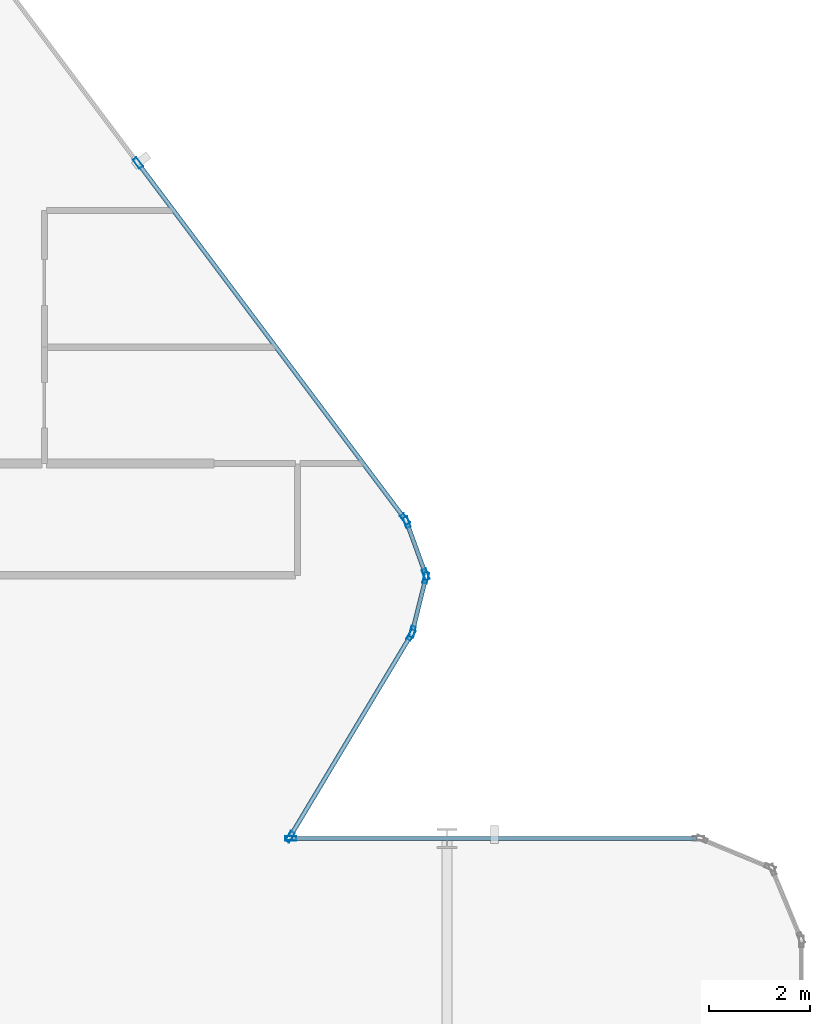
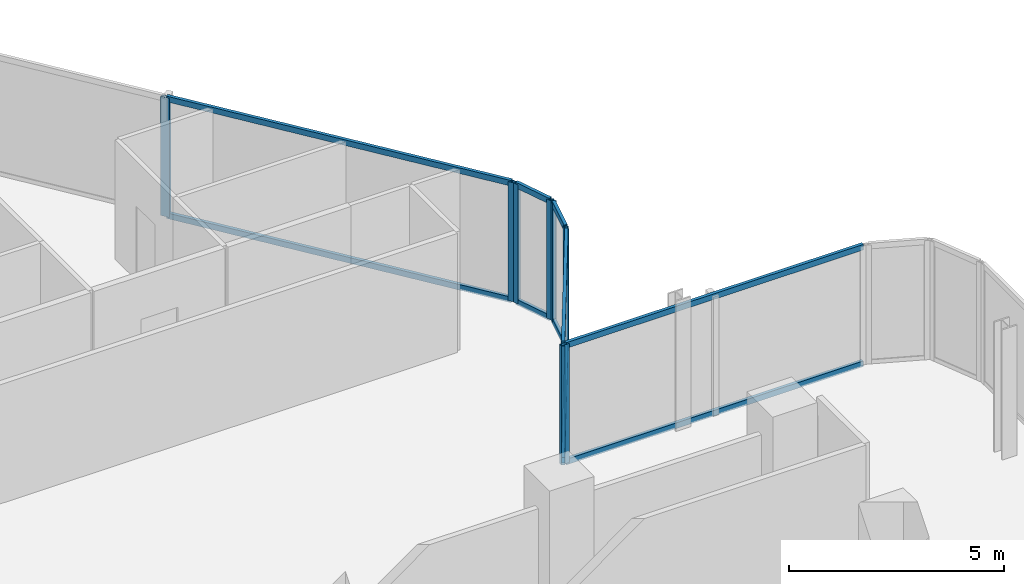
# One storey, part 15 of 34: 19 members, 5 elements without a shape of their own.
"""IFC4 building model written with IfcOpenShell, lengths in metres."""

from ifc_helpers import new_model, si_unit, direction, frame, origin, origin_2d, place, context, subcontext, project, spatial, hollow_rectangle, extrude, material, layer, layer_set, material_profile, profile_set, type_object, element, aggregate, save


model = new_model("IFC4")

# Units and contexts
model_context = context("Model", 3, precision=1e-05, world=origin(), true_north=direction((0.0, 1.0)))
body_context = subcontext(model_context, "Body", "Model", "MODEL_VIEW")
ifc_project = project(units=[si_unit("LENGTHUNIT", "METRE"), si_unit("AREAUNIT", "SQUARE_METRE"), si_unit("VOLUMEUNIT", "CUBIC_METRE"), si_unit("PLANEANGLEUNIT", "RADIAN"), si_unit("MASSUNIT", "GRAM", prefix="KILO")], contexts=[model_context])

# Site, building, storey
site_placement = place(None, origin())
site = spatial("IfcSite", under=ifc_project, at=site_placement, CompositionType="ELEMENT")
building_placement = place(site_placement, origin())
building = spatial("IfcBuilding", under=site, at=building_placement, Name="Keshet Zoharim Tower", CompositionType="ELEMENT")
storey_placement = place(building_placement, frame((0.0, 0.0, 70.10009765625)))
storey = spatial("IfcBuildingStorey", under=building, at=storey_placement, Name="L16", CompositionType="ELEMENT", Elevation=70.10009765625)

# Curtain wall, members
ifc_material = material(Name="Aluminium 6063-T6", Category="aluminium")
ifc_layer_1 = layer(ifc_material, 0.169921875)
ifc_layer_set_1 = layer_set([ifc_layer_1], Name="Aluminium 6063-T6")
curtain_wall_type_1 = type_object("IfcCurtainWallType", Name="CW-SYS-02", PredefinedType="NOTDEFINED", material=ifc_layer_set_1)
curtain_wall_1_placement = place(storey_placement, origin())
curtain_wall_1 = element("IfcCurtainWall", 1, at=curtain_wall_1_placement, inside=storey, type_object=curtain_wall_type_1, Name="L16 Unitised Curtain Wall 09", PredefinedType="NOTDEFINED")
ifc_material_profile_1 = material_profile(ifc_material, hollow_rectangle(XDim=0.090087890625, YDim=0.219970703125, WallThickness=0.0048828125, at=origin_2d()), Name="MUL-90x220")
ifc_profile_set_1 = profile_set([ifc_material_profile_1], Name="Aluminium 6063-T6")
member_type_1 = type_object("IfcMemberType", Name="CWM-M22", PredefinedType="MULLION", material=ifc_profile_set_1)
member_1_placement = place(storey_placement, frame((56.896484375, 46.0380859375, 0.0), z_axis=(0.0, 0.0, 1.0), x_axis=(0.799999999998, 0.600000000002, 0.0)))
member_1 = element("IfcMember", 2, at=member_1_placement, type_object=member_type_1, Name="CW-02 mullion 2", PredefinedType="MULLION", context=body_context, shape_type="SweptSolid", body=[
    extrude(hollow_rectangle(XDim=0.090087890625, YDim=0.219970703125, WallThickness=0.0048828125, at=origin_2d()), origin(), (0.0, 0.0, 1.0), 3.385009765625),
])
member_2_placement = place(storey_placement, frame((62.172119140625, 39.00390625, 0.0), z_axis=(0.0, 0.0, 1.0), x_axis=(0.799999999998, 0.600000000002, 0.0)))
member_2 = element("IfcMember", 3, at=member_2_placement, type_object=member_type_1, Name="CW-02 mullion 3", PredefinedType="MULLION", context=body_context, shape_type="SweptSolid", body=[
    extrude(hollow_rectangle(XDim=0.090087890625, YDim=0.219970703125, WallThickness=0.0048828125, at=origin_2d()), origin(), (0.0, 0.0, 1.0), 3.385009765625),
])

curtain_wall_2_placement = place(storey_placement, origin())
curtain_wall_2 = element("IfcCurtainWall", 4, at=curtain_wall_2_placement, inside=storey, type_object=curtain_wall_type_1, Name="L16 Unitised Curtain Wall 10", PredefinedType="NOTDEFINED")
member_3_placement = place(storey_placement, frame((62.204833984375, 38.943115234375, 0.0), z_axis=(0.0, 0.0, 1.0), x_axis=(0.940317877544, 0.340297354046, 0.0)))
member_3 = element("IfcMember", 5, at=member_3_placement, type_object=member_type_1, Name="CW-02 mullion 1", PredefinedType="MULLION", context=body_context, shape_type="SweptSolid", body=[
    extrude(hollow_rectangle(XDim=0.090087890625, YDim=0.219970703125, WallThickness=0.0048828125, at=origin_2d()), origin(), (0.0, 0.0, 1.0), 3.385009765625),
])
member_4_placement = place(storey_placement, frame((62.578125, 37.911865234375, 0.0), z_axis=(0.0, 0.0, 1.0), x_axis=(0.940317877544, 0.340297354046, 0.0)))
member_4 = element("IfcMember", 6, at=member_4_placement, type_object=member_type_1, Name="CW-02 mullion 2", PredefinedType="MULLION", context=body_context, shape_type="SweptSolid", body=[
    extrude(hollow_rectangle(XDim=0.090087890625, YDim=0.219970703125, WallThickness=0.0048828125, at=origin_2d()), origin(), (0.0, 0.0, 1.0), 3.385009765625),
])

curtain_wall_3_placement = place(storey_placement, origin())
curtain_wall_3 = element("IfcCurtainWall", 7, at=curtain_wall_3_placement, inside=storey, type_object=curtain_wall_type_1, Name="L16 Unitised Curtain Wall 11", PredefinedType="NOTDEFINED")
member_5_placement = place(storey_placement, frame((62.58154296875, 37.844970703125, 0.0), z_axis=(0.0, 0.0, 1.0), x_axis=(0.970343857447, -0.241728770141, 0.0)))
member_5 = element("IfcMember", 8, at=member_5_placement, type_object=member_type_1, Name="CW-02 mullion 1", PredefinedType="MULLION", context=body_context, shape_type="SweptSolid", body=[
    extrude(hollow_rectangle(XDim=0.090087890625, YDim=0.219970703125, WallThickness=0.0048828125, at=origin_2d()), origin(), (0.0, 0.0, 1.0), 3.385009765625),
])
member_6_placement = place(storey_placement, frame((62.31640625, 36.781005859375, 0.0), z_axis=(0.0, 0.0, 1.0), x_axis=(0.970343857447, -0.241728770141, 0.0)))
member_6 = element("IfcMember", 9, at=member_6_placement, type_object=member_type_1, Name="CW-02 mullion 2", PredefinedType="MULLION", context=body_context, shape_type="SweptSolid", body=[
    extrude(hollow_rectangle(XDim=0.090087890625, YDim=0.219970703125, WallThickness=0.0048828125, at=origin_2d()), origin(), (0.0, 0.0, 1.0), 3.385009765625),
])

ifc_layer_2 = layer(ifc_material, 0.179931640625)
ifc_layer_set_2 = layer_set([ifc_layer_2], Name="Aluminium 6063-T6")
curtain_wall_type_2 = type_object("IfcCurtainWallType", Name="CW-SYS-01", PredefinedType="NOTDEFINED", material=ifc_layer_set_2)
curtain_wall_4_placement = place(storey_placement, origin())
curtain_wall_4 = element("IfcCurtainWall", 10, at=curtain_wall_4_placement, inside=storey, type_object=curtain_wall_type_2, Name="L16 Unitised Curtain Wall 12", PredefinedType="NOTDEFINED")
member_7_placement = place(storey_placement, frame((62.2900390625, 36.717041015625, 0.0), z_axis=(0.0, 0.0, 1.0), x_axis=(0.857511621163, -0.51446459506, 0.0)))
member_7 = element("IfcMember", 11, at=member_7_placement, type_object=member_type_1, Name="CW-01 mullion 1", PredefinedType="MULLION", context=body_context, shape_type="SweptSolid", body=[
    extrude(hollow_rectangle(XDim=0.090087890625, YDim=0.219970703125, WallThickness=0.0048828125, at=origin_2d()), origin(), (0.0, 0.0, 1.0), 3.385009765625),
])
member_8_placement = place(storey_placement, frame((59.89794921875, 32.72998046875, 0.0), z_axis=(0.0, 0.0, 1.0), x_axis=(0.857511621163, -0.51446459506, 0.0)))
member_8 = element("IfcMember", 12, at=member_8_placement, type_object=member_type_1, Name="CW-01 mullion 2", PredefinedType="MULLION", context=body_context, shape_type="SweptSolid", body=[
    extrude(hollow_rectangle(XDim=0.090087890625, YDim=0.219970703125, WallThickness=0.0048828125, at=origin_2d()), origin(), (0.0, 0.0, 1.0), 3.385009765625),
])

# Curtain wall, member
curtain_wall_5_placement = place(storey_placement, origin())
curtain_wall_5 = element("IfcCurtainWall", 13, at=curtain_wall_5_placement, inside=storey, type_object=curtain_wall_type_1, Name="L16 Unitised Curtain Wall 13", PredefinedType="NOTDEFINED")
member_9_placement = place(storey_placement, frame((59.9150390625, 32.699951171875, 0.0), z_axis=(0.0, 0.0, 1.0), x_axis=(0.0, 1.0, 0.0)))
member_9 = element("IfcMember", 14, at=member_9_placement, type_object=member_type_1, Name="CW-02 mullion 1", PredefinedType="MULLION", context=body_context, shape_type="SweptSolid", body=[
    extrude(hollow_rectangle(XDim=0.090087890625, YDim=0.219970703125, WallThickness=0.0048828125, at=origin_2d()), origin(), (0.0, 0.0, 1.0), 3.385009765625),
])

# Member
ifc_material_profile_2 = material_profile(ifc_material, hollow_rectangle(XDim=0.0849609375, YDim=0.159912109375, WallThickness=0.00439453125, at=origin_2d()), Name="TRN-85x160")
ifc_profile_set_2 = profile_set([ifc_material_profile_2], Name="Aluminium 6063-T6")
member_type_2 = type_object("IfcMemberType", Name="CWT-T16", PredefinedType="USERDEFINED", material=ifc_profile_set_2)
member_10_placement = place(storey_placement, frame((56.91748046875, 46.010009765625, 0.034912109375), z_axis=(0.599991043201, -0.800006717521, 0.0), x_axis=(0.800006717521, 0.599991043201, 0.0)))
member_10 = element("IfcMember", 15, at=member_10_placement, type_object=member_type_2, Name="CW-02 transom 2.1", ObjectType="TRANSOM", PredefinedType="USERDEFINED", context=body_context, shape_type="SweptSolid", body=[
    extrude(hollow_rectangle(XDim=0.0849609375, YDim=0.159912109375, WallThickness=0.00439453125, at=origin_2d()), origin(), (0.0, 0.0, 1.0), 8.722412109375),
])

member_11_placement = place(storey_placement, frame((56.91748046875, 46.010009765625, 3.349853515625), z_axis=(0.599991043201, -0.800006717521, 0.0), x_axis=(0.800006717521, 0.599991043201, 0.0)))
member_11 = element("IfcMember", 16, at=member_11_placement, type_object=member_type_2, Name="CW-02 transom 2.2", ObjectType="TRANSOM", PredefinedType="USERDEFINED", context=body_context, shape_type="SweptSolid", body=[
    extrude(hollow_rectangle(XDim=0.0849609375, YDim=0.159912109375, WallThickness=0.00439453125, at=origin_2d()), origin(), (0.0, 0.0, 1.0), 8.722412109375),
])

aggregate(curtain_wall_1, [member_1, member_2, member_10, member_11])

member_12_placement = place(storey_placement, frame((62.216796875, 38.91015625, 0.034912109375), z_axis=(0.340310579984, -0.940313091024, 0.0), x_axis=(0.940313091024, 0.340310579984, 0.0)))
member_12 = element("IfcMember", 17, at=member_12_placement, type_object=member_type_2, Name="CW-02 transom 1.1", ObjectType="TRANSOM", PredefinedType="USERDEFINED", context=body_context, shape_type="SweptSolid", body=[
    extrude(hollow_rectangle(XDim=0.0849609375, YDim=0.159912109375, WallThickness=0.00439453125, at=origin_2d()), origin(), (0.0, 0.0, 1.0), 1.026611328125),
])

member_13_placement = place(storey_placement, frame((62.216796875, 38.91015625, 3.349853515625), z_axis=(0.340310579984, -0.940313091024, 0.0), x_axis=(0.940313091024, 0.340310579984, 0.0)))
member_13 = element("IfcMember", 18, at=member_13_placement, type_object=member_type_2, Name="CW-02 transom 1.2", ObjectType="TRANSOM", PredefinedType="USERDEFINED", context=body_context, shape_type="SweptSolid", body=[
    extrude(hollow_rectangle(XDim=0.0849609375, YDim=0.159912109375, WallThickness=0.00439453125, at=origin_2d()), origin(), (0.0, 0.0, 1.0), 1.026611328125),
])

aggregate(curtain_wall_2, [member_3, member_4, member_12, member_13])

member_14_placement = place(storey_placement, frame((62.572998046875, 37.81103515625, 0.034912109375), z_axis=(-0.241640143717, -0.970365931463, 0.0), x_axis=(0.970365931463, -0.241640143717, 0.0)))
member_14 = element("IfcMember", 19, at=member_14_placement, type_object=member_type_2, Name="CW-02 transom 1.1", ObjectType="TRANSOM", PredefinedType="USERDEFINED", context=body_context, shape_type="SweptSolid", body=[
    extrude(hollow_rectangle(XDim=0.0849609375, YDim=0.159912109375, WallThickness=0.00439453125, at=origin_2d()), origin(), (0.0, 0.0, 1.0), 1.026611328125),
])

member_15_placement = place(storey_placement, frame((62.572998046875, 37.81103515625, 3.349853515625), z_axis=(-0.241640143717, -0.970365931463, 0.0), x_axis=(0.970365931463, -0.241640143717, 0.0)))
member_15 = element("IfcMember", 20, at=member_15_placement, type_object=member_type_2, Name="CW-02 transom 1.2", ObjectType="TRANSOM", PredefinedType="USERDEFINED", context=body_context, shape_type="SweptSolid", body=[
    extrude(hollow_rectangle(XDim=0.0849609375, YDim=0.159912109375, WallThickness=0.00439453125, at=origin_2d()), origin(), (0.0, 0.0, 1.0), 1.026611328125),
])

aggregate(curtain_wall_3, [member_5, member_6, member_14, member_15])

member_16_placement = place(storey_placement, frame((62.27197265625, 36.68701171875, 0.034912109375), z_axis=(-0.514456555213, -0.857516444622, 0.0), x_axis=(0.857516444622, -0.514456555213, 0.0)))
member_16 = element("IfcMember", 21, at=member_16_placement, type_object=member_type_2, Name="CW-01 transom 1.1", ObjectType="TRANSOM", PredefinedType="USERDEFINED", context=body_context, shape_type="SweptSolid", body=[
    extrude(hollow_rectangle(XDim=0.0849609375, YDim=0.159912109375, WallThickness=0.00439453125, at=origin_2d()), origin(), (0.0, 0.0, 1.0), 4.57958984375),
])

member_17_placement = place(storey_placement, frame((62.27197265625, 36.68701171875, 3.349853515625), z_axis=(-0.514456555213, -0.857516444622, 0.0), x_axis=(0.857516444622, -0.514456555213, 0.0)))
member_17 = element("IfcMember", 22, at=member_17_placement, type_object=member_type_2, Name="CW-01 transom 1.2", ObjectType="TRANSOM", PredefinedType="USERDEFINED", context=body_context, shape_type="SweptSolid", body=[
    extrude(hollow_rectangle(XDim=0.0849609375, YDim=0.159912109375, WallThickness=0.00439453125, at=origin_2d()), origin(), (0.0, 0.0, 1.0), 4.57958984375),
])

aggregate(curtain_wall_4, [member_7, member_8, member_16, member_17])

member_18_placement = place(storey_placement, frame((59.949951171875, 32.699951171875, 0.034912109375), z_axis=(1.0, 0.0, 0.0), x_axis=(0.0, 1.0, 0.0)))
member_18 = element("IfcMember", 23, at=member_18_placement, type_object=member_type_2, Name="CW-02 transom 1.1", ObjectType="TRANSOM", PredefinedType="USERDEFINED", context=body_context, shape_type="SweptSolid", body=[
    extrude(hollow_rectangle(XDim=0.0849609375, YDim=0.159912109375, WallThickness=0.00439453125, at=origin_2d()), origin(), (0.0, 0.0, 1.0), 7.97998046875),
])

member_19_placement = place(storey_placement, frame((59.949951171875, 32.699951171875, 3.349853515625), z_axis=(1.0, 0.0, 0.0), x_axis=(0.0, 1.0, 0.0)))
member_19 = element("IfcMember", 24, at=member_19_placement, type_object=member_type_2, Name="CW-02 transom 1.2", ObjectType="TRANSOM", PredefinedType="USERDEFINED", context=body_context, shape_type="SweptSolid", body=[
    extrude(hollow_rectangle(XDim=0.0849609375, YDim=0.159912109375, WallThickness=0.00439453125, at=origin_2d()), origin(), (0.0, 0.0, 1.0), 7.97998046875),
])

aggregate(curtain_wall_5, [member_9, member_18, member_19])

save(model, "model.ifc")
